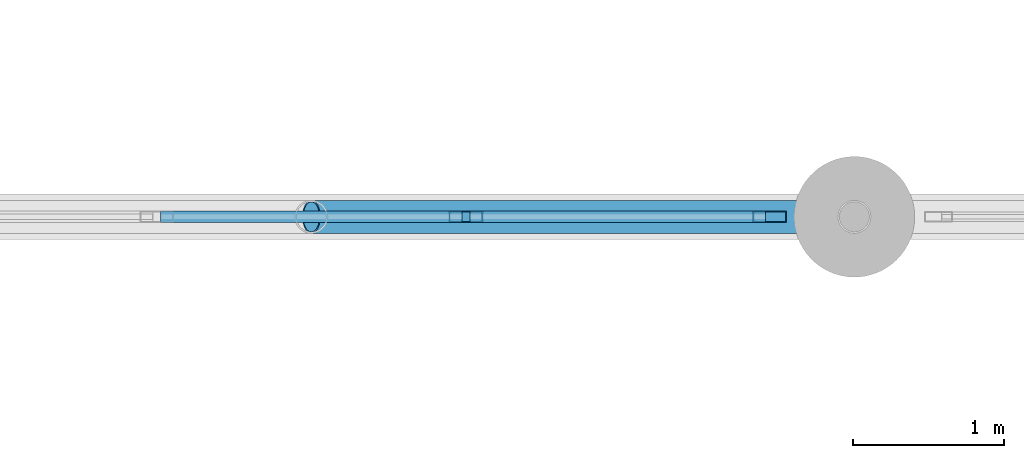
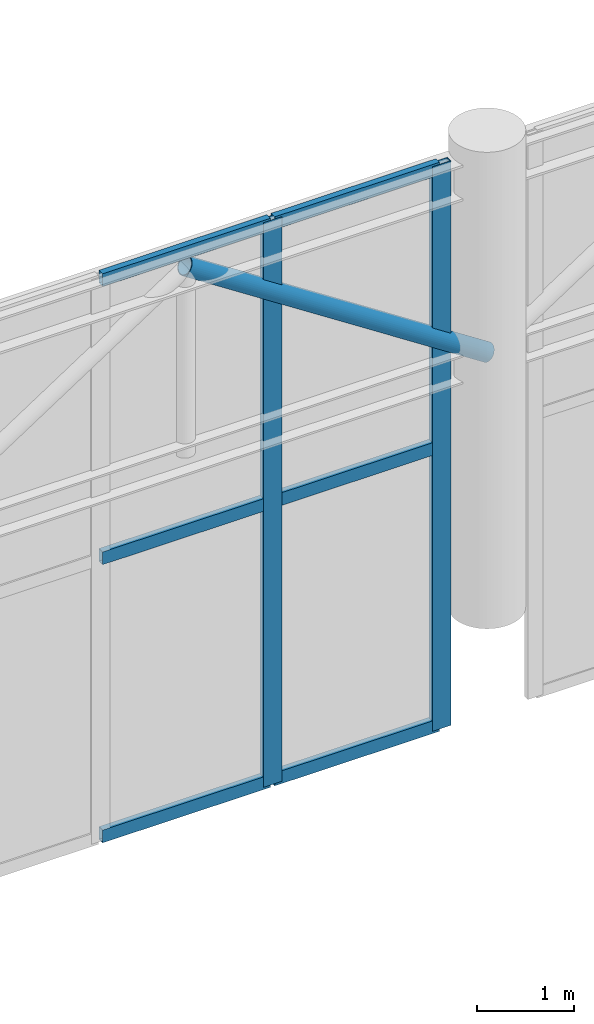
# One storey, part 100 of 153: 9 members, 1 element without a shape of its own.
"""IFC4 building model written with IfcOpenShell, lengths in metres."""

import ifcopenshell
import ifcopenshell.guid

model = None  # the IFC model being written
_history = None  # IfcOwnerHistory: only IFC2X3 demands one
_inside = {}  # id of a spatial element -> (the spatial element, [elements in it])
_under = {}  # id of a project, library or spatial element -> (it, [spatial elements below it])
_declared = {}  # id of a project -> (the project, [libraries it declares])
_typed = {}  # id of a type object -> (the type object, [elements of that type])
_made_of = {}  # id of a material, layer set ... -> (it, [elements and type objects made of it])


def new_model(schema):
    """Start an empty IFC model of exactly this schema.

    Asked for "IFC4X3", IfcOpenShell would pick the latest addendum, in which some entities
    have other attributes; the version numbers below select the first issue.
    IFC2X3 requires an IfcOwnerHistory on every rooted entity: one is made here for all.
    """
    global model, _history
    if schema == "IFC4X3":
        model = ifcopenshell.file(schema_version=(4, 3, 0, 0))
    else:
        model = ifcopenshell.file(schema=schema)
    _inside.clear()
    _under.clear()
    _declared.clear()
    _typed.clear()
    _made_of.clear()
    _history = None
    if model.schema == "IFC2X3":
        org = make("IfcOrganization", Name="unknown")
        user = make(
            "IfcPersonAndOrganization",
            ThePerson=make("IfcPerson", FamilyName="unknown"),
            TheOrganization=org,
        )
        app = make(
            "IfcApplication",
            ApplicationDeveloper=org,
            Version="unknown",
            ApplicationFullName="unknown",
            ApplicationIdentifier="unknown",
        )
        _history = make(
            "IfcOwnerHistory",
            OwningUser=user,
            OwningApplication=app,
            ChangeAction="ADDED",
            CreationDate=0,
        )
    return model


def make(cls, **values):
    """One entity of the class cls with the attributes given. An attribute that is None is left unset."""
    return model.create_entity(
        cls, **{name: value for name, value in values.items() if value is not None}
    )


def rooted(cls, **values):
    """An entity with a GlobalId (a new one), such as an element, a storey or a relation."""
    return make(cls, GlobalId=ifcopenshell.guid.new(), OwnerHistory=_history, **values)


def si_unit(unit_type, name, prefix=None):
    """IfcSIUnit, for example si_unit("LENGTHUNIT", "METRE", prefix="MILLI")."""
    return make("IfcSIUnit", UnitType=unit_type, Prefix=prefix, Name=name)


def assignment(units):
    """IfcUnitAssignment: the units of a project."""
    return None if units is None else make("IfcUnitAssignment", Units=units)


def point(xyz):
    """IfcCartesianPoint."""
    return None if xyz is None else make("IfcCartesianPoint", Coordinates=xyz)


def direction(xyz):
    """IfcDirection."""
    return None if xyz is None else make("IfcDirection", DirectionRatios=xyz)


def frame(location, z_axis=None, x_axis=None):
    """IfcAxis2Placement3D, a coordinate frame: its origin and axes. An axis left out is left unset."""
    return make(
        "IfcAxis2Placement3D",
        Location=point(location),
        Axis=direction(z_axis),
        RefDirection=direction(x_axis),
    )


def frame_2d(location, x_axis=None):
    """IfcAxis2Placement2D, a coordinate frame in the plane: its origin and x axis."""
    return make(
        "IfcAxis2Placement2D", Location=point(location), RefDirection=direction(x_axis)
    )


def origin():
    """The frame at (0, 0, 0) with its axes left unset."""
    return frame((0.0, 0.0, 0.0))


def origin_2d():
    """The frame at (0, 0) in the plane with its x axis left unset."""
    return frame_2d((0.0, 0.0))


def place(relative_to, where):
    """IfcLocalPlacement: puts the frame where relative to a parent placement (None: the world)."""
    return make(
        "IfcLocalPlacement", PlacementRelTo=relative_to, RelativePlacement=where
    )


def context(
    kind, dimensions, precision=None, world=None, true_north=None, identifier=None
):
    """IfcGeometricRepresentationContext, for example the 3D "Model" context."""
    return make(
        "IfcGeometricRepresentationContext",
        ContextIdentifier=identifier,
        ContextType=kind,
        CoordinateSpaceDimension=dimensions,
        Precision=precision,
        WorldCoordinateSystem=world,
        TrueNorth=true_north,
    )


def subcontext(parent, identifier, kind, view, scale=None):
    """IfcGeometricRepresentationSubContext, for example "Body" below "Model"."""
    return make(
        "IfcGeometricRepresentationSubContext",
        ContextIdentifier=identifier,
        ContextType=kind,
        ParentContext=parent,
        TargetScale=scale,
        TargetView=view,
    )


def project(units=None, contexts=None):
    """IfcProject with its units and contexts."""
    return rooted(
        "IfcProject",
        Name="project",
        RepresentationContexts=contexts,
        UnitsInContext=assignment(units),
    )


def spatial(cls, under=None, at=None, **own):
    """A site, building, storey or space (cls), placed at a placement, below another one or the project."""
    s = rooted(cls, ObjectPlacement=at, **own)
    if under is not None:
        _under.setdefault(under.id(), (under, []))[1].append(s)
    return s


def profile(cls, at=None, kind="AREA", **sizes):
    """A parametric profile (cls). Its sizes go by their IFC names, for example OverallWidth=200.0."""
    return make(cls, ProfileType=kind, Position=at, **sizes)


def hollow_rectangle(**sizes):
    """IfcRectangleHollowProfileDef."""
    return profile("IfcRectangleHollowProfileDef", **sizes)


def hollow_circle(**sizes):
    """IfcCircleHollowProfileDef."""
    return profile("IfcCircleHollowProfileDef", **sizes)


def extrude(swept, where, along, depth):
    """IfcExtrudedAreaSolid: the profile swept, set in the frame where, extruded along a direction by depth."""
    return make(
        "IfcExtrudedAreaSolid",
        SweptArea=swept,
        Position=where,
        ExtrudedDirection=direction(along),
        Depth=depth,
    )


def shape(context_of_items, identifier, shape_type, items):
    """IfcShapeRepresentation: the items that make up one representation, for example the "Body"."""
    return make(
        "IfcShapeRepresentation",
        ContextOfItems=context_of_items,
        RepresentationIdentifier=identifier,
        RepresentationType=shape_type,
        Items=items,
    )


def material(Name=None, Category=None):
    """IfcMaterial."""
    return make("IfcMaterial", Name=Name, Category=Category)


def material_profile(
    of_material, cross_section, Name=None, Category=None, Priority=None
):
    """IfcMaterialProfile: a cross section and its material."""
    return make(
        "IfcMaterialProfile",
        Name=Name,
        Material=of_material,
        Profile=cross_section,
        Priority=Priority,
        Category=Category,
    )


def profile_set(profiles, Name=None, composite=None):
    """IfcMaterialProfileSet."""
    return make(
        "IfcMaterialProfileSet",
        Name=Name,
        MaterialProfiles=profiles,
        CompositeProfile=composite,
    )


def made_of(thing, what):
    """Note that an element or type object is made of a material, layer set ...; save() writes the relation."""
    if what is not None:
        _made_of.setdefault(what.id(), (what, []))[1].append(thing)
    return thing


def type_object(cls, material=None, **own):
    """A type object (cls), such as IfcWallType, which elements share."""
    return made_of(rooted(cls, **own), material)


def element(
    cls,
    number,
    at=None,
    inside=None,
    cuts=None,
    type_object=None,
    material=None,
    context=None,
    identifier="Body",
    shape_type=None,
    held_by="IfcProductDefinitionShape",
    body=None,
    shapes=None,
    **own,
):
    """One element of the class cls, such as IfcWall. Its Tag is "e" and its number.

    at: its placement. inside: the storey or other place that contains it. cuts: it is an
    opening in that element (IfcRelVoidsElement). A single representation is given by context,
    identifier, shape_type and body (its items); several are given by shapes. held_by: the class
    of the entity that holds the representations. save() writes the other relations.
    """
    e = rooted(cls, Tag="e%d" % number, ObjectPlacement=at, **own)
    if body is not None:
        shapes = [shape(context, identifier, shape_type, body)]
    if shapes is not None:
        e.Representation = make(held_by, Representations=shapes)
    if inside is not None:
        _inside.setdefault(inside.id(), (inside, []))[1].append(e)
    if cuts is not None:
        rooted(
            "IfcRelVoidsElement", RelatingBuildingElement=cuts, RelatedOpeningElement=e
        )
    if type_object is not None:
        _typed.setdefault(type_object.id(), (type_object, []))[1].append(e)
    return made_of(e, material)


def aggregate(whole, parts):
    """IfcRelAggregates: a whole, such as a stair, and the parts it consists of."""
    return rooted("IfcRelAggregates", RelatingObject=whole, RelatedObjects=parts)


def save(model, path):
    """Write the relations noted so far, then the file.

    IfcRelAggregates (storeys below a building ...), IfcRelContainedInSpatialStructure (elements
    in a storey), IfcRelDefinesByType, IfcRelAssociatesMaterial and IfcRelDeclares: one each for
    every whole, place, type object, material and project.
    """
    for whole, parts in _under.values():
        aggregate(whole, parts)
    for where, things in _inside.values():
        rooted(
            "IfcRelContainedInSpatialStructure",
            RelatedElements=things,
            RelatingStructure=where,
        )
    for kind, things in _typed.values():
        rooted("IfcRelDefinesByType", RelatedObjects=things, RelatingType=kind)
    for what, things in _made_of.values():
        rooted("IfcRelAssociatesMaterial", RelatedObjects=things, RelatingMaterial=what)
    for by, libraries in _declared.values():
        rooted("IfcRelDeclares", RelatingContext=by, RelatedDefinitions=libraries)
    model.write(path)


model = new_model("IFC4")

# Units and contexts
model_context = context("Model", 3, precision=1e-05, world=origin(), true_north=direction((0.0, 1.0)))
body_context = subcontext(model_context, "Body", "Model", "MODEL_VIEW")
ifc_project = project(units=[si_unit("LENGTHUNIT", "METRE"), si_unit("AREAUNIT", "SQUARE_METRE"), si_unit("VOLUMEUNIT", "CUBIC_METRE"), si_unit("PLANEANGLEUNIT", "RADIAN"), si_unit("MASSUNIT", "GRAM", prefix="KILO")], contexts=[model_context])

# Site, building, storey
site_placement = place(None, origin())
site = spatial("IfcSite", under=ifc_project, at=site_placement, CompositionType="ELEMENT")
building_placement = place(site_placement, origin())
building = spatial("IfcBuilding", under=site, at=building_placement, Name="Qandorah Velis Arena", CompositionType="ELEMENT")
storey_placement = place(building_placement, frame((0.0, 0.0, 5.39990234375)))
storey = spatial("IfcBuildingStorey", under=building, at=storey_placement, Name="L01", CompositionType="ELEMENT", Elevation=5.39990234375)

# Curtain wall, members
ifc_material_1 = material(Name="Solar-control low-E double glazing", Category="glass")
curtain_wall_type = type_object("IfcCurtainWallType", Name="ARC-CW-SYS17", PredefinedType="USERDEFINED", material=ifc_material_1)
curtain_wall_placement = place(storey_placement, origin())
curtain_wall = element("IfcCurtainWall", 1, at=curtain_wall_placement, inside=storey, type_object=curtain_wall_type, Name="Unitised curtain wall L01-161", ObjectType="UNITISED CURTAIN WALL", PredefinedType="USERDEFINED")
ifc_material_2 = material(Name="Champagne-bronze anodized aluminium 6063-T6", Category="aluminium")
ifc_material_profile_1 = material_profile(ifc_material_2, hollow_rectangle(XDim=0.074951171875, YDim=0.219970703125, WallThickness=0.00390625, at=origin_2d()), Name="ALU MULLION 75x220")
ifc_profile_set_1 = profile_set([ifc_material_profile_1], Name="Champagne-bronze anodized aluminium 6063-T6")
member_type_1 = type_object("IfcMemberType", Name="ARC-CWM-220", PredefinedType="MULLION", material=ifc_profile_set_1)
member_1_placement = place(storey_placement, frame((141.425048828125, 122.39990234375, -1.31494140625), z_axis=(0.0, 0.0, 1.0), x_axis=(0.0, 1.0, 0.0)))
member_1 = element("IfcMember", 2, at=member_1_placement, type_object=member_type_1, Name="CW17 mullion 3", PredefinedType="MULLION", context=body_context, shape_type="SweptSolid", body=[
    extrude(hollow_rectangle(XDim=0.074951171875, YDim=0.219970703125, WallThickness=0.00390625, at=origin_2d()), origin(), (0.0, 0.0, 1.0), 7.110107421875),
])
member_2_placement = place(storey_placement, frame((143.4375, 122.39990234375, -1.31494140625), z_axis=(0.0, 0.0, 1.0), x_axis=(0.0, 1.0, 0.0)))
member_2 = element("IfcMember", 3, at=member_2_placement, type_object=member_type_1, Name="CW17 mullion 4", PredefinedType="MULLION", context=body_context, shape_type="SweptSolid", body=[
    extrude(hollow_rectangle(XDim=0.074951171875, YDim=0.219970703125, WallThickness=0.00390625, at=origin_2d()), origin(), (0.0, 0.0, 1.0), 7.110107421875),
])
ifc_material_profile_2 = material_profile(ifc_material_2, hollow_rectangle(XDim=0.074951171875, YDim=0.159912109375, WallThickness=0.00341796875, at=origin_2d()), Name="ALU TRANSOM 75x160")
ifc_profile_set_2 = profile_set([ifc_material_profile_2], Name="Champagne-bronze anodized aluminium 6063-T6")
member_type_2 = type_object("IfcMemberType", Name="ARC-CWT-160", PredefinedType="USERDEFINED", material=ifc_profile_set_2)
member_3_placement = place(storey_placement, frame((139.400390625, 122.39990234375, -1.262451171875), z_axis=(1.0, 0.0, 0.0), x_axis=(0.0, 1.0, 0.0)))
member_3 = element("IfcMember", 4, at=member_3_placement, type_object=member_type_2, Name="CW17 transom 2.1", ObjectType="TRANSOM", PredefinedType="USERDEFINED", context=body_context, shape_type="SweptSolid", body=[
    extrude(hollow_rectangle(XDim=0.074951171875, YDim=0.159912109375, WallThickness=0.00341796875, at=origin_2d()), origin(), (0.0, 0.0, 1.0), 1.9990234375),
])
member_4_placement = place(storey_placement, frame((139.400390625, 122.39990234375, 2.239990234375), z_axis=(1.0, 0.0, 0.0), x_axis=(0.0, 1.0, 0.0)))
member_4 = element("IfcMember", 5, at=member_4_placement, type_object=member_type_2, Name="CW17 transom 2.2", ObjectType="TRANSOM", PredefinedType="USERDEFINED", context=body_context, shape_type="SweptSolid", body=[
    extrude(hollow_rectangle(XDim=0.074951171875, YDim=0.159912109375, WallThickness=0.00341796875, at=origin_2d()), origin(), (0.0, 0.0, 1.0), 1.9990234375),
])
member_5_placement = place(storey_placement, frame((139.400390625, 122.39990234375, 5.74267578125), z_axis=(1.0, 0.0, 0.0), x_axis=(0.0, 1.0, 0.0)))
member_5 = element("IfcMember", 6, at=member_5_placement, type_object=member_type_2, Name="CW17 transom 2.3", ObjectType="TRANSOM", PredefinedType="USERDEFINED", context=body_context, shape_type="SweptSolid", body=[
    extrude(hollow_rectangle(XDim=0.074951171875, YDim=0.159912109375, WallThickness=0.00341796875, at=origin_2d()), origin(), (0.0, 0.0, 1.0), 1.9990234375),
])
member_6_placement = place(storey_placement, frame((141.450439453125, 122.39990234375, -1.262451171875), z_axis=(1.0, 0.0, 0.0), x_axis=(0.0, 1.0, 0.0)))
member_6 = element("IfcMember", 7, at=member_6_placement, type_object=member_type_2, Name="CW17 transom 3.1", ObjectType="TRANSOM", PredefinedType="USERDEFINED", context=body_context, shape_type="SweptSolid", body=[
    extrude(hollow_rectangle(XDim=0.074951171875, YDim=0.159912109375, WallThickness=0.00341796875, at=origin_2d()), origin(), (0.0, 0.0, 1.0), 1.961669921875),
])
member_7_placement = place(storey_placement, frame((141.450439453125, 122.39990234375, 2.239990234375), z_axis=(1.0, 0.0, 0.0), x_axis=(0.0, 1.0, 0.0)))
member_7 = element("IfcMember", 8, at=member_7_placement, type_object=member_type_2, Name="CW17 transom 3.2", ObjectType="TRANSOM", PredefinedType="USERDEFINED", context=body_context, shape_type="SweptSolid", body=[
    extrude(hollow_rectangle(XDim=0.074951171875, YDim=0.159912109375, WallThickness=0.00341796875, at=origin_2d()), origin(), (0.0, 0.0, 1.0), 1.961669921875),
])
member_8_placement = place(storey_placement, frame((141.450439453125, 122.39990234375, 5.74267578125), z_axis=(1.0, 0.0, 0.0), x_axis=(0.0, 1.0, 0.0)))
member_8 = element("IfcMember", 9, at=member_8_placement, type_object=member_type_2, Name="CW17 transom 3.3", ObjectType="TRANSOM", PredefinedType="USERDEFINED", context=body_context, shape_type="SweptSolid", body=[
    extrude(hollow_rectangle(XDim=0.074951171875, YDim=0.159912109375, WallThickness=0.00341796875, at=origin_2d()), origin(), (0.0, 0.0, 1.0), 1.961669921875),
])
aggregate(curtain_wall, [member_1, member_2, member_3, member_4, member_5, member_6, member_7, member_8])

# Member
ifc_material_3 = material(Name="Steel S355", Category="steel")
ifc_material_profile_3 = material_profile(ifc_material_3, hollow_circle(Radius=0.109619140625, WallThickness=0.010009765625, at=origin_2d()), Name="CHS 219.1x10")
ifc_profile_set_3 = profile_set([ifc_material_profile_3], Name="Steel S355")
member_type_3 = type_object("IfcMemberType", Name="STR-SFD-CHS219X10", PredefinedType="STRUT", material=ifc_profile_set_3)
member_9_placement = place(storey_placement, frame((140.39990234375, 122.39990234375, 5.55517578125), z_axis=(0.837375540217, 0.0, -0.546628031339), x_axis=(0.0, 1.0, 0.0)))
element("IfcMember", 10, at=member_9_placement, inside=storey, type_object=member_type_3, Name="Practice court roof truss 5 web diagonal 6", PredefinedType="STRUT", context=body_context, shape_type="SweptSolid", body=[
    extrude(hollow_circle(Radius=0.109619140625, WallThickness=0.010009765625, at=origin_2d()), origin(), (0.0, 0.0, 1.0), 4.29931640625),
])

save(model, "model.ifc")
